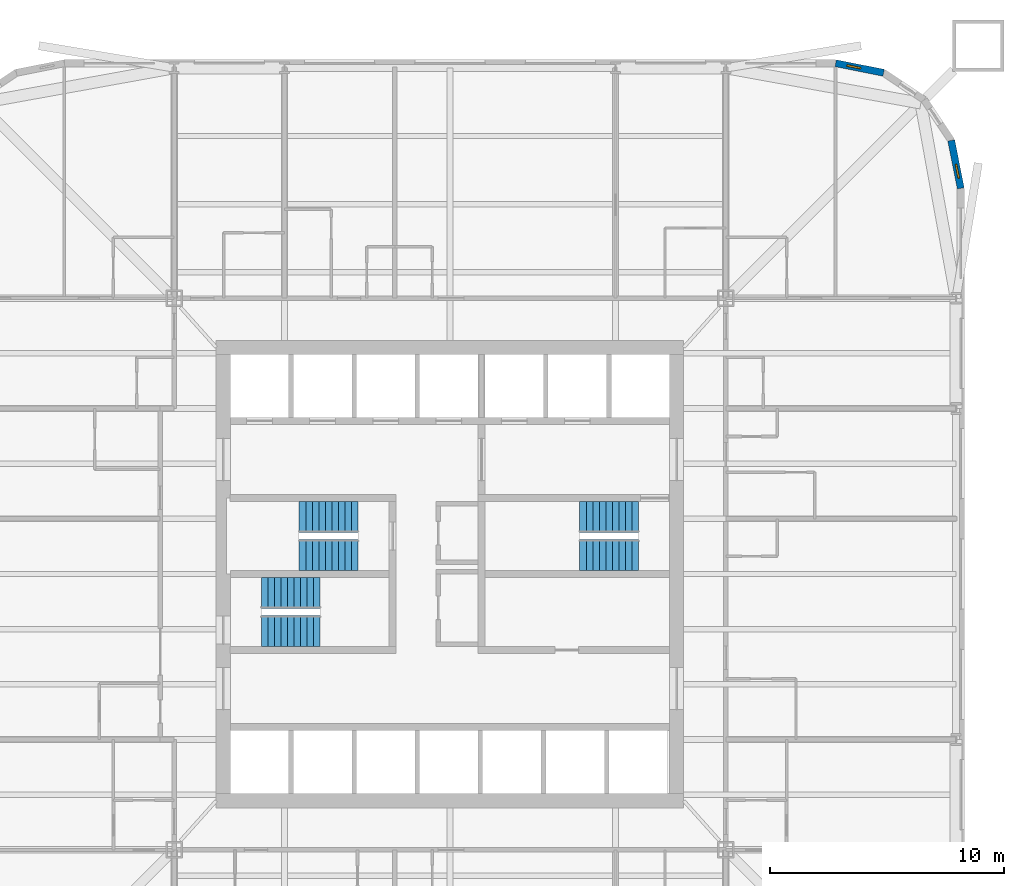
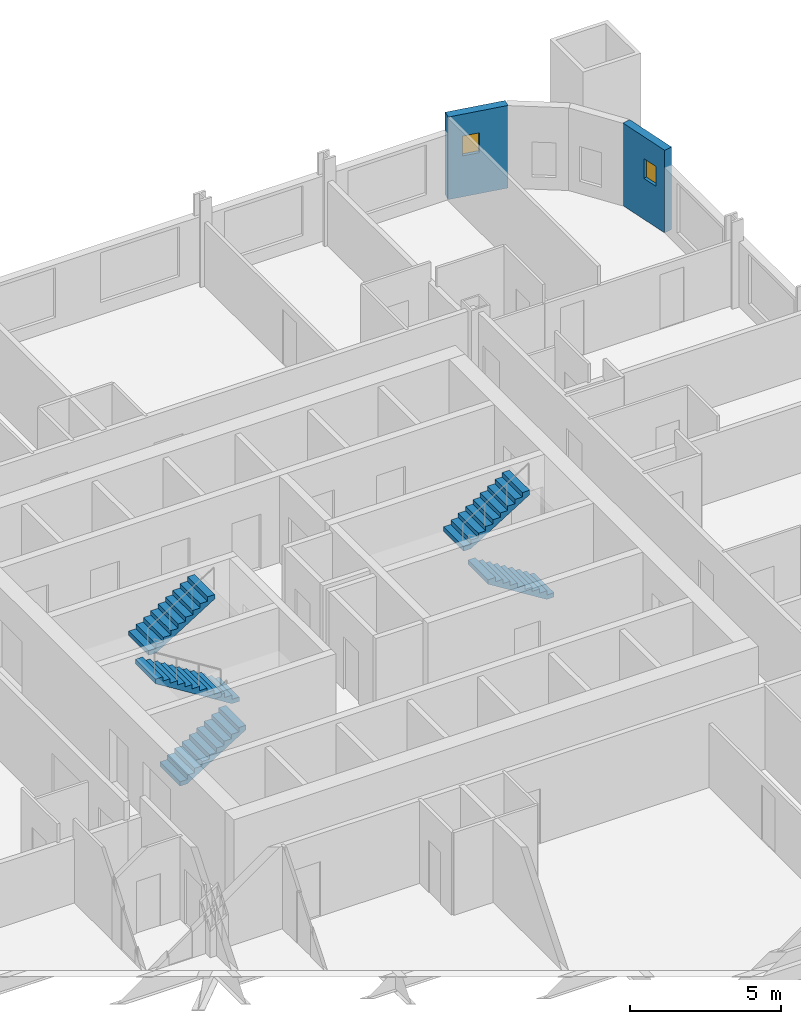
# One storey, part 8 of 9: 6 stair flights, 2 walls, 2 windows, 2 openings, 3 elements without a shape of their own.
"""IFC4 building model written with IfcOpenShell, lengths in metres."""

from ifc_helpers import new_model, si_unit, direction, frame, frame_2d, origin, place, context, subcontext, project, spatial, polyline, rectangle, outline, extrude, material, layer, layer_set, type_object, element, fill, aggregate, save


model = new_model("IFC4")

# Units and contexts
model_context = context("Model", 3, precision=1e-05, world=origin(), true_north=direction((0.0, 1.0)))
body_context = subcontext(model_context, "Body", "Model", "MODEL_VIEW")
ifc_project = project(units=[si_unit("LENGTHUNIT", "METRE"), si_unit("AREAUNIT", "SQUARE_METRE"), si_unit("VOLUMEUNIT", "CUBIC_METRE"), si_unit("PLANEANGLEUNIT", "RADIAN"), si_unit("MASSUNIT", "GRAM", prefix="KILO")], contexts=[model_context])

# Site, building, storey
site_placement = place(None, origin())
site = spatial("IfcSite", under=ifc_project, at=site_placement, CompositionType="ELEMENT")
building_placement = place(site_placement, origin())
building = spatial("IfcBuilding", under=site, at=building_placement, Name="Turquesa Mirador Hotel Tower", CompositionType="ELEMENT")
storey_placement = place(building_placement, frame((0.0, 0.0, 81.0)))
storey = spatial("IfcBuildingStorey", under=building, at=storey_placement, Name="L21", CompositionType="ELEMENT", Elevation=81.0)

# Wall, opening, window
ifc_material_1 = material(Name="Limestone cladding on concrete block", Category="masonry")
ifc_layer = layer(ifc_material_1, 0.300048828125)
ifc_layer_set = layer_set([ifc_layer], Name="FACADE WALL 300 STONE SCREEN")
wall_type = type_object("IfcWallType", Name="FACADE WALL 300 STONE SCREEN", PredefinedType="SOLIDWALL", material=ifc_layer_set)
wall_1_placement = place(storey_placement, frame((76.85009765625, 61.5, 0.0), z_axis=(0.0, 0.0, 1.0), x_axis=(-0.195081421501, 0.980787050784, 0.0)))
wall_1 = element("IfcWall", 1, at=wall_1_placement, inside=storey, type_object=wall_type, Name="Facade wall L21 05", PredefinedType="SOLIDWALL", context=body_context, shape_type="SweptSolid", body=[
    extrude(rectangle(XDim=2.08740234375, YDim=0.300048828125, at=frame_2d((1.043701171875, 0.0))), origin(), (0.0, 0.0, 1.0), 3.330078125),
])
opening_1_placement = place(wall_1_placement, frame((0.443603515625, 0.0, 1.64990234375)))
opening_1 = element("IfcOpeningElement", 2, at=opening_1_placement, cuts=wall_1, Name="Opening WN10", PredefinedType="OPENING", context=body_context, shape_type="SweptSolid", body=[
    extrude(rectangle(XDim=0.60009765625, YDim=0.800048828125, at=frame_2d((0.300048828125, 0.39990234375))), frame((0.0, 0.159912109375, 0.0), z_axis=(0.0, -1.0, 0.0), x_axis=(1.0, 0.0, 0.0)), (0.0, 0.0, 1.0), 0.320068359375),
])
ifc_material_2 = material(Name="Ceramic-fritted laminated glass", Category="glass")
window_type = type_object("IfcWindowType", Name="FRITTED CORNER WINDOW 600X800", PartitioningType="DOUBLE_PANEL_HORIZONTAL", PredefinedType="WINDOW", material=ifc_material_2)
window_1_placement = place(opening_1_placement, origin())
window_1 = element("IfcWindow", 3, at=window_1_placement, inside=storey, type_object=window_type, Name="Window L21", OverallHeight=0.800048828125, OverallWidth=0.60009765625, PartitioningType="SINGLE_PANEL", PredefinedType="WINDOW", context=body_context, shape_type="SweptSolid", body=[
    extrude(rectangle(XDim=0.60009765625, YDim=0.800048828125, at=frame_2d((0.300048828125, 0.39990234375))), frame((0.0, 0.030029296875, 0.0), z_axis=(0.0, -1.0, 0.0), x_axis=(1.0, 0.0, 0.0)), (0.0, 0.0, 1.0), 0.06005859375),
])
fill(opening_1, window_1)

wall_2_placement = place(storey_placement, frame((73.54736328125, 66.44287109375, 0.0), z_axis=(0.0, 0.0, 1.0), x_axis=(-0.980787050784, 0.195081421501, 0.0)))
wall_2 = element("IfcWall", 4, at=wall_2_placement, inside=storey, type_object=wall_type, Name="Facade wall L21 08", PredefinedType="SOLIDWALL", context=body_context, shape_type="SweptSolid", body=[
    extrude(rectangle(XDim=2.08740234375, YDim=0.300048828125, at=frame_2d((1.043701171875, 0.0))), origin(), (0.0, 0.0, 1.0), 3.330078125),
])
opening_2_placement = place(wall_2_placement, frame((0.99365234375, 0.0, 1.64990234375)))
opening_2 = element("IfcOpeningElement", 5, at=opening_2_placement, cuts=wall_2, Name="Opening WN10", PredefinedType="OPENING", context=body_context, shape_type="SweptSolid", body=[
    extrude(rectangle(XDim=0.60009765625, YDim=0.800048828125, at=frame_2d((0.300048828125, 0.39990234375))), frame((0.0, 0.159912109375, 0.0), z_axis=(0.0, -1.0, 0.0), x_axis=(1.0, 0.0, 0.0)), (0.0, 0.0, 1.0), 0.320068359375),
])
window_2_placement = place(opening_2_placement, origin())
window_2 = element("IfcWindow", 6, at=window_2_placement, inside=storey, type_object=window_type, Name="Window L21", OverallHeight=0.800048828125, OverallWidth=0.60009765625, PartitioningType="SINGLE_PANEL", PredefinedType="WINDOW", context=body_context, shape_type="SweptSolid", body=[
    extrude(rectangle(XDim=0.60009765625, YDim=0.800048828125, at=frame_2d((0.300048828125, 0.39990234375))), frame((0.0, 0.030029296875, 0.0), z_axis=(0.0, -1.0, 0.0), x_axis=(1.0, 0.0, 0.0)), (0.0, 0.0, 1.0), 0.06005859375),
])
fill(opening_2, window_2)

# Stair, stair flights
ifc_material_3 = material(Name="Concrete C35/45", Category="concrete")
stair_type = type_object("IfcStairType", Name="ESCAPE STAIR CORE", PredefinedType="HALF_TURN_STAIR", material=ifc_material_3)
stair_1_placement = place(storey_placement, origin())
stair_1 = element("IfcStair", 7, at=stair_1_placement, inside=storey, type_object=stair_type, Name="Stair ST1 L21 to L22", PredefinedType="HALF_TURN_STAIR")
ifc_material_4 = material(Name="Concrete C35/45 precast flight", Category="concrete")
stair_flight_type = type_object("IfcStairFlightType", Name="STAIR FLIGHT 1330", PredefinedType="STRAIGHT", material=ifc_material_4)
stair_flight_1_placement = place(storey_placement, frame((51.070068359375, 45.81494140625, 0.0), z_axis=(0.0, 0.0, 1.0), x_axis=(-1.0, 0.0, 0.0)))
stair_flight_1 = element("IfcStairFlight", 8, at=stair_flight_1_placement, type_object=stair_flight_type, Name="ST1 flight 1", NumberOfRisers=10, NumberOfTreads=9, PredefinedType="STRAIGHT", RiserHeight=0.175, TreadLength=0.28, context=body_context, shape_type="SweptSolid", body=[
    extrude(outline(polyline([(0.0, 0.0), (0.0, 0.175048828125), (0.280029296875, 0.175048828125), (0.280029296875, 0.35009765625), (0.56005859375, 0.35009765625), (0.56005859375, 0.52490234375), (0.840087890625, 0.52490234375), (0.840087890625, 0.699951171875), (1.1201171875, 0.699951171875), (1.1201171875, 0.875), (1.39990234375, 0.875), (1.39990234375, 1.050048828125), (1.679931640625, 1.050048828125), (1.679931640625, 1.22509765625), (1.9599609375, 1.22509765625), (1.9599609375, 1.39990234375), (2.239990234375, 1.39990234375), (2.239990234375, 1.574951171875), (2.52001953125, 1.574951171875), (2.52001953125, 1.75), (2.52001953125, 1.398193359375), (0.28271484375, 0.0), (0.0, 0.0)])), frame((0.0, 0.6650390625, 0.0), z_axis=(0.0, -1.0, 0.0), x_axis=(1.0, 0.0, 0.0)), (0.0, 0.0, 1.0), 1.330078125),
])
stair_flight_2_placement = place(storey_placement, frame((48.550048828125, 47.43505859375, 1.75), z_axis=(0.0, 0.0, 1.0), x_axis=(1.0, 0.0, 0.0)))
stair_flight_2 = element("IfcStairFlight", 9, at=stair_flight_2_placement, type_object=stair_flight_type, Name="ST1 flight 2", NumberOfRisers=10, NumberOfTreads=9, PredefinedType="STRAIGHT", RiserHeight=0.175, TreadLength=0.28, context=body_context, shape_type="SweptSolid", body=[
    extrude(outline(polyline([(0.0, 0.0), (0.0, 0.175048828125), (0.280029296875, 0.175048828125), (0.280029296875, 0.35009765625), (0.56005859375, 0.35009765625), (0.56005859375, 0.52490234375), (0.840087890625, 0.52490234375), (0.840087890625, 0.699951171875), (1.1201171875, 0.699951171875), (1.1201171875, 0.875), (1.39990234375, 0.875), (1.39990234375, 1.050048828125), (1.679931640625, 1.050048828125), (1.679931640625, 1.22509765625), (1.9599609375, 1.22509765625), (1.9599609375, 1.39990234375), (2.239990234375, 1.39990234375), (2.239990234375, 1.574951171875), (2.52001953125, 1.574951171875), (2.52001953125, 1.75), (2.52001953125, 1.398193359375), (0.28271484375, 0.0), (0.0, 0.0)])), frame((0.0, 0.6650390625, 0.0), z_axis=(0.0, -1.0, 0.0), x_axis=(1.0, 0.0, 0.0)), (0.0, 0.0, 1.0), 1.330078125),
])
aggregate(stair_1, [stair_flight_1, stair_flight_2])

stair_2_placement = place(storey_placement, origin())
stair_2 = element("IfcStair", 10, at=stair_2_placement, inside=storey, type_object=stair_type, Name="Stair ST2 L21 to L22", PredefinedType="HALF_TURN_STAIR")
stair_flight_3_placement = place(storey_placement, frame((46.929931640625, 42.56494140625, 0.0), z_axis=(0.0, 0.0, 1.0), x_axis=(1.0, 0.0, 0.0)))
stair_flight_3 = element("IfcStairFlight", 11, at=stair_flight_3_placement, type_object=stair_flight_type, Name="ST2 flight 1", NumberOfRisers=10, NumberOfTreads=9, PredefinedType="STRAIGHT", RiserHeight=0.175, TreadLength=0.28, context=body_context, shape_type="SweptSolid", body=[
    extrude(outline(polyline([(0.0, 0.0), (0.0, 0.175048828125), (0.280029296875, 0.175048828125), (0.280029296875, 0.35009765625), (0.56005859375, 0.35009765625), (0.56005859375, 0.52490234375), (0.840087890625, 0.52490234375), (0.840087890625, 0.699951171875), (1.1201171875, 0.699951171875), (1.1201171875, 0.875), (1.39990234375, 0.875), (1.39990234375, 1.050048828125), (1.679931640625, 1.050048828125), (1.679931640625, 1.22509765625), (1.9599609375, 1.22509765625), (1.9599609375, 1.39990234375), (2.239990234375, 1.39990234375), (2.239990234375, 1.574951171875), (2.52001953125, 1.574951171875), (2.52001953125, 1.75), (2.52001953125, 1.398193359375), (0.28271484375, 0.0), (0.0, 0.0)])), frame((0.0, 0.6650390625, 0.0), z_axis=(0.0, -1.0, 0.0), x_axis=(1.0, 0.0, 0.0)), (0.0, 0.0, 1.0), 1.330078125),
])
stair_flight_4_placement = place(storey_placement, frame((49.449951171875, 44.18505859375, 1.75), z_axis=(0.0, 0.0, 1.0), x_axis=(-1.0, 0.0, 0.0)))
stair_flight_4 = element("IfcStairFlight", 12, at=stair_flight_4_placement, type_object=stair_flight_type, Name="ST2 flight 2", NumberOfRisers=10, NumberOfTreads=9, PredefinedType="STRAIGHT", RiserHeight=0.175, TreadLength=0.28, context=body_context, shape_type="SweptSolid", body=[
    extrude(outline(polyline([(0.0, 0.0), (0.0, 0.175048828125), (0.280029296875, 0.175048828125), (0.280029296875, 0.35009765625), (0.56005859375, 0.35009765625), (0.56005859375, 0.52490234375), (0.840087890625, 0.52490234375), (0.840087890625, 0.699951171875), (1.1201171875, 0.699951171875), (1.1201171875, 0.875), (1.39990234375, 0.875), (1.39990234375, 1.050048828125), (1.679931640625, 1.050048828125), (1.679931640625, 1.22509765625), (1.9599609375, 1.22509765625), (1.9599609375, 1.39990234375), (2.239990234375, 1.39990234375), (2.239990234375, 1.574951171875), (2.52001953125, 1.574951171875), (2.52001953125, 1.75), (2.52001953125, 1.398193359375), (0.28271484375, 0.0), (0.0, 0.0)])), frame((0.0, 0.6650390625, 0.0), z_axis=(0.0, -1.0, 0.0), x_axis=(1.0, 0.0, 0.0)), (0.0, 0.0, 1.0), 1.330078125),
])
aggregate(stair_2, [stair_flight_3, stair_flight_4])

stair_3_placement = place(storey_placement, origin())
stair_3 = element("IfcStair", 13, at=stair_3_placement, inside=storey, type_object=stair_type, Name="Stair ST3 L21 to L22", PredefinedType="HALF_TURN_STAIR")
stair_flight_5_placement = place(storey_placement, frame((63.070068359375, 45.81494140625, 0.0), z_axis=(0.0, 0.0, 1.0), x_axis=(-1.0, 0.0, 0.0)))
stair_flight_5 = element("IfcStairFlight", 14, at=stair_flight_5_placement, type_object=stair_flight_type, Name="ST3 flight 1", NumberOfRisers=10, NumberOfTreads=9, PredefinedType="STRAIGHT", RiserHeight=0.175, TreadLength=0.28, context=body_context, shape_type="SweptSolid", body=[
    extrude(outline(polyline([(0.0, 0.0), (0.0, 0.175048828125), (0.280029296875, 0.175048828125), (0.280029296875, 0.35009765625), (0.56005859375, 0.35009765625), (0.56005859375, 0.52490234375), (0.840087890625, 0.52490234375), (0.840087890625, 0.699951171875), (1.1201171875, 0.699951171875), (1.1201171875, 0.875), (1.39990234375, 0.875), (1.39990234375, 1.050048828125), (1.679931640625, 1.050048828125), (1.679931640625, 1.22509765625), (1.9599609375, 1.22509765625), (1.9599609375, 1.39990234375), (2.239990234375, 1.39990234375), (2.239990234375, 1.574951171875), (2.52001953125, 1.574951171875), (2.52001953125, 1.75), (2.52001953125, 1.398193359375), (0.28271484375, 0.0), (0.0, 0.0)])), frame((0.0, 0.6650390625, 0.0), z_axis=(0.0, -1.0, 0.0), x_axis=(1.0, 0.0, 0.0)), (0.0, 0.0, 1.0), 1.330078125),
])
stair_flight_6_placement = place(storey_placement, frame((60.550048828125, 47.43505859375, 1.75), z_axis=(0.0, 0.0, 1.0), x_axis=(1.0, 0.0, 0.0)))
stair_flight_6 = element("IfcStairFlight", 15, at=stair_flight_6_placement, type_object=stair_flight_type, Name="ST3 flight 2", NumberOfRisers=10, NumberOfTreads=9, PredefinedType="STRAIGHT", RiserHeight=0.175, TreadLength=0.28, context=body_context, shape_type="SweptSolid", body=[
    extrude(outline(polyline([(0.0, 0.0), (0.0, 0.175048828125), (0.280029296875, 0.175048828125), (0.280029296875, 0.35009765625), (0.56005859375, 0.35009765625), (0.56005859375, 0.52490234375), (0.840087890625, 0.52490234375), (0.840087890625, 0.699951171875), (1.1201171875, 0.699951171875), (1.1201171875, 0.875), (1.39990234375, 0.875), (1.39990234375, 1.050048828125), (1.679931640625, 1.050048828125), (1.679931640625, 1.22509765625), (1.9599609375, 1.22509765625), (1.9599609375, 1.39990234375), (2.239990234375, 1.39990234375), (2.239990234375, 1.574951171875), (2.52001953125, 1.574951171875), (2.52001953125, 1.75), (2.52001953125, 1.398193359375), (0.28271484375, 0.0), (0.0, 0.0)])), frame((0.0, 0.6650390625, 0.0), z_axis=(0.0, -1.0, 0.0), x_axis=(1.0, 0.0, 0.0)), (0.0, 0.0, 1.0), 1.330078125),
])
aggregate(stair_3, [stair_flight_5, stair_flight_6])

save(model, "model.ifc")
